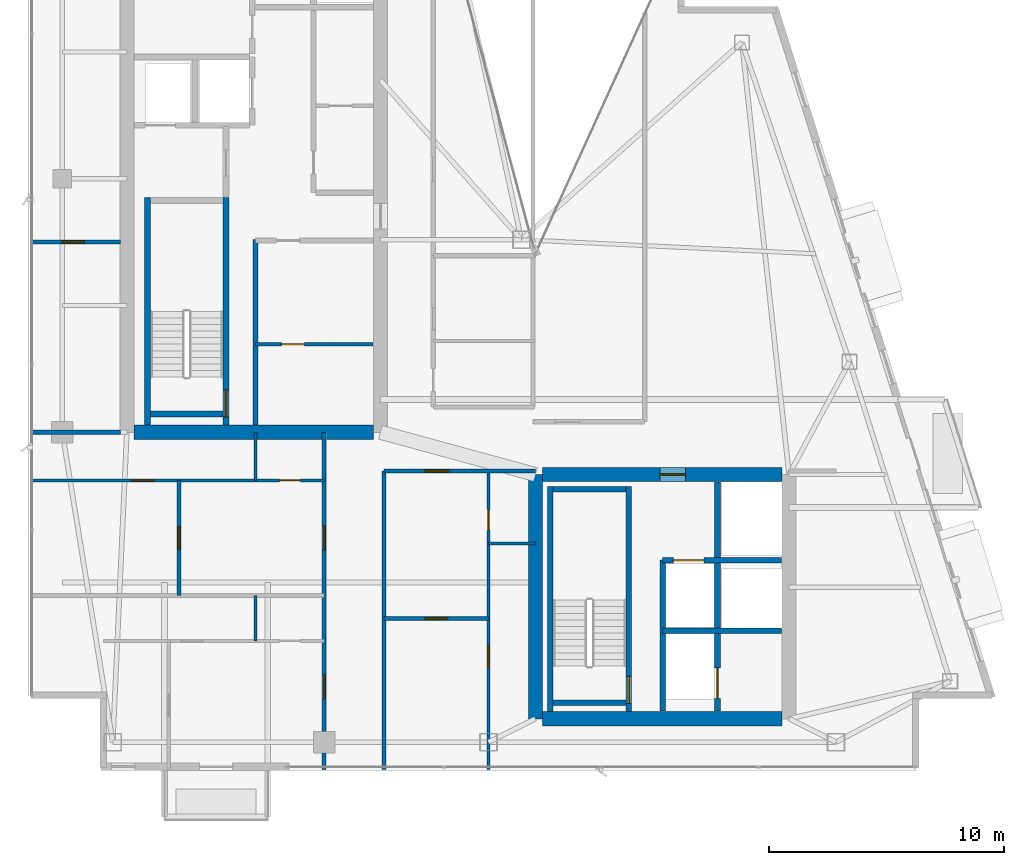
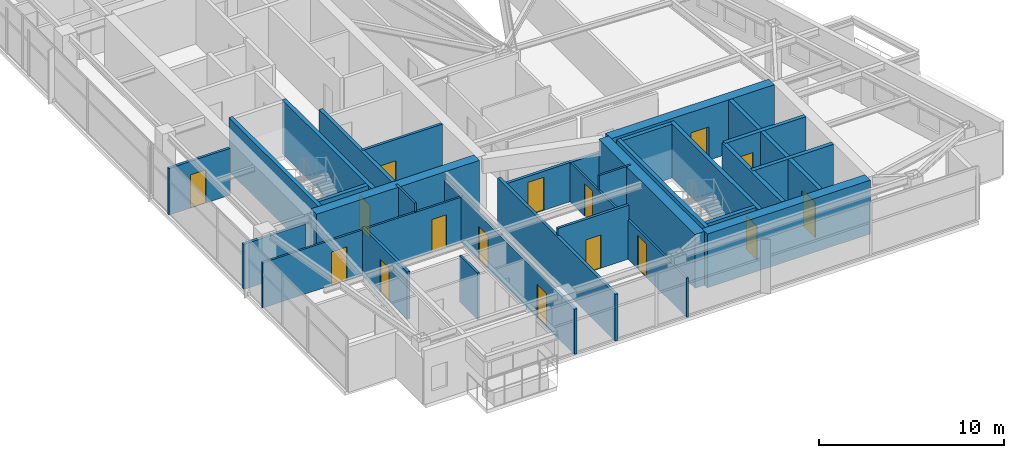
# One storey, part 22 of 27: 29 walls, 16 doors, 16 openings.
"""IFC4 building model written with IfcOpenShell, lengths in metres."""

from ifc_helpers import new_model, si_unit, direction, frame, frame_2d, origin, place, context, subcontext, project, spatial, rectangle, extrude, material, layer, layer_set, type_object, element, fill, save


model = new_model("IFC4")

# Units and contexts
model_context = context("Model", 3, precision=1e-05, world=origin(), true_north=direction((0.0, 1.0)))
body_context = subcontext(model_context, "Body", "Model", "MODEL_VIEW")
ifc_project = project(units=[si_unit("LENGTHUNIT", "METRE"), si_unit("AREAUNIT", "SQUARE_METRE"), si_unit("VOLUMEUNIT", "CUBIC_METRE"), si_unit("PLANEANGLEUNIT", "RADIAN"), si_unit("MASSUNIT", "GRAM", prefix="KILO")], contexts=[model_context])

# Site, building, storey
site_placement = place(None, origin())
site = spatial("IfcSite", under=ifc_project, at=site_placement, CompositionType="ELEMENT")
building_placement = place(site_placement, origin())
building = spatial("IfcBuilding", under=site, at=building_placement, Name="Calvorn Quay Hotel", CompositionType="ELEMENT")
storey_placement = place(building_placement, frame((0.0, 0.0, 294.89990234375)))
storey = spatial("IfcBuildingStorey", under=building, at=storey_placement, Name="L73", CompositionType="ELEMENT", Elevation=294.89990234375)

# Walls
ifc_material_1 = material(Name="Concrete C45", Category="concrete")
ifc_layer_1 = layer(ifc_material_1, 0.60009765625)
ifc_layer_set_1 = layer_set([ifc_layer_1], Name="WL-CORE-600")
wall_type_1 = type_object("IfcWallType", Name="WL-CORE-600", PredefinedType="SHEAR", material=ifc_layer_set_1)
wall_1_placement = place(storey_placement, frame((4.5, 16.800048828125, 0.0), z_axis=(0.0, 0.0, 1.0), x_axis=(1.0, 0.0, 0.0)))
element("IfcWall", 1, at=wall_1_placement, inside=storey, type_object=wall_type_1, Name="West Core Shear Wall S (L73)", PredefinedType="SHEAR", context=body_context, shape_type="SweptSolid", body=[
    extrude(rectangle(XDim=10.199951171875, YDim=0.60009765625, at=frame_2d((5.10009765625, 0.0))), origin(), (0.0, 0.0, 1.0), 3.56005859375),
])
wall_2_placement = place(storey_placement, frame((21.60009765625, 4.60009765625, 0.0), z_axis=(0.0, 0.0, 1.0), x_axis=(0.0, 1.0, 0.0)))
element("IfcWall", 2, at=wall_2_placement, inside=storey, type_object=wall_type_1, Name="East Core Shear Wall W (L73)", PredefinedType="SHEAR", context=body_context, shape_type="SweptSolid", body=[
    extrude(rectangle(XDim=10.39990234375, YDim=0.60009765625, at=frame_2d((5.199951171875, 0.0))), origin(), (0.0, 0.0, 1.0), 3.56005859375),
])

# Wall, opening, door
wall_3_placement = place(storey_placement, frame((21.89990234375, 15.0, 0.0), z_axis=(0.0, 0.0, 1.0), x_axis=(1.0, 0.0, 0.0)))
wall_3 = element("IfcWall", 3, at=wall_3_placement, inside=storey, type_object=wall_type_1, Name="East Core Shear Wall N (L73)", PredefinedType="SHEAR", context=body_context, shape_type="SweptSolid", body=[
    extrude(rectangle(XDim=10.2001953125, YDim=0.60009765625, at=frame_2d((5.10009765625, 0.0))), origin(), (0.0, 0.0, 1.0), 3.56005859375),
])
opening_1_placement = place(wall_3_placement, frame((5.0, 0.0, 0.0)))
opening_1 = element("IfcOpeningElement", 4, at=opening_1_placement, cuts=wall_3, Name="Opening D-L73-FLE", PredefinedType="OPENING", context=body_context, shape_type="SweptSolid", body=[
    extrude(rectangle(XDim=1.10009765625, YDim=2.199951171875, at=frame_2d((0.550048828125, 1.10009765625))), frame((0.0, 0.31005859375, 0.0), z_axis=(0.0, -1.0, 0.0), x_axis=(1.0, 0.0, 0.0)), (0.0, 0.0, 1.0), 0.6201171875),
])
ifc_material_2 = material(Name="Smoke-Sealed Steel Class A Fire Door", Category="steel")
door_type_1 = type_object("IfcDoorType", Name="DR-FFLOBBY-1100", OperationType="NOTDEFINED", PredefinedType="DOOR", material=ifc_material_2)
door_1_placement = place(opening_1_placement, origin())
door_1 = element("IfcDoor", 5, at=door_1_placement, inside=storey, type_object=door_type_1, Name="East Firefighting Lobby Fire Door (L73)", OperationType="SINGLE_SWING_LEFT", OverallHeight=2.199951171875, OverallWidth=1.10009765625, PredefinedType="DOOR", context=body_context, shape_type="SweptSolid", body=[
    extrude(rectangle(XDim=1.10009765625, YDim=2.199951171875, at=frame_2d((0.550048828125, 1.10009765625))), frame((0.0, 0.02490234375, 0.0), z_axis=(0.0, -1.0, 0.0), x_axis=(1.0, 0.0, 0.0)), (0.0, 0.0, 1.0), 0.050048828125),
])
fill(opening_1, door_1)

# Walls
wall_4_placement = place(storey_placement, frame((21.89990234375, 4.60009765625, 0.0), z_axis=(0.0, 0.0, 1.0), x_axis=(1.0, 0.0, 0.0)))
element("IfcWall", 6, at=wall_4_placement, inside=storey, type_object=wall_type_1, Name="East Core Shear Wall S (L73)", PredefinedType="SHEAR", context=body_context, shape_type="SweptSolid", body=[
    extrude(rectangle(XDim=10.2001953125, YDim=0.60009765625, at=frame_2d((5.10009765625, 0.0))), origin(), (0.0, 0.0, 1.0), 3.56005859375),
])
ifc_material_3 = material(Name="Acoustic Fireboard Steel-Stud Partition", Category="steel")
ifc_layer_2 = layer(ifc_material_3, 0.179931640625)
ifc_layer_set_2 = layer_set([ifc_layer_2], Name="WL-CORR-FIRE-180")
wall_type_2 = type_object("IfcWallType", Name="WL-CORR-FIRE-180", PredefinedType="PARTITIONING", material=ifc_layer_set_2)
wall_5_placement = place(storey_placement, frame((0.080078125, 16.800048828125, 0.0), z_axis=(0.0, 0.0, 1.0), x_axis=(1.0, 0.0, 0.0)))
element("IfcWall", 7, at=wall_5_placement, inside=storey, type_object=wall_type_2, Name="Partition Wall L73-WL-WBAY-S-WALL", PredefinedType="PARTITIONING", context=body_context, shape_type="SweptSolid", body=[
    extrude(rectangle(XDim=3.849853515625, YDim=0.179931640625, at=frame_2d((1.9248046875, 0.0))), origin(), (0.0, 0.0, 1.0), 2.989990234375),
])

# Wall, openings, doors
wall_6_placement = place(storey_placement, frame((12.60009765625, 2.43994140625, 0.0), z_axis=(0.0, 0.0, 1.0), x_axis=(0.0, 1.0, 0.0)))
wall_6 = element("IfcWall", 8, at=wall_6_placement, inside=storey, type_object=wall_type_2, Name="Partition Wall L73-WL-CORR-SW-LEG-W", PredefinedType="PARTITIONING", context=body_context, shape_type="SweptSolid", body=[
    extrude(rectangle(XDim=14.360107421875, YDim=0.179931640625, at=frame_2d((7.18017578125, 0.0))), origin(), (0.0, 0.0, 1.0), 2.989990234375),
])
opening_2_placement = place(wall_6_placement, frame((3.010009765625, 0.0, 0.0)))
opening_2 = element("IfcOpeningElement", 9, at=opening_2_placement, cuts=wall_6, Name="Opening D-L73-U01", PredefinedType="OPENING", context=body_context, shape_type="SweptSolid", body=[
    extrude(rectangle(XDim=1.02001953125, YDim=2.199951171875, at=frame_2d((0.510009765625, 1.10009765625))), frame((0.0, 0.099853515625, 0.0), z_axis=(0.0, -1.0, 0.0), x_axis=(1.0, 0.0, 0.0)), (0.0, 0.0, 1.0), 0.199951171875),
])
opening_3_placement = place(wall_6_placement, frame((9.35009765625, 0.0, 0.0)))
opening_3 = element("IfcOpeningElement", 10, at=opening_3_placement, cuts=wall_6, Name="Opening D-L73-U02", PredefinedType="OPENING", context=body_context, shape_type="SweptSolid", body=[
    extrude(rectangle(XDim=1.02001953125, YDim=2.199951171875, at=frame_2d((0.510009765625, 1.10009765625))), frame((0.0, 0.099853515625, 0.0), z_axis=(0.0, -1.0, 0.0), x_axis=(1.0, 0.0, 0.0)), (0.0, 0.0, 1.0), 0.199951171875),
])
ifc_material_4 = material(Name="Solid-Core Walnut Veneer Hotel Fire Door")
door_type_2 = type_object("IfcDoorType", Name="DR-GUEST-ENTRY-1020", OperationType="NOTDEFINED", PredefinedType="DOOR", material=ifc_material_4)
door_2_placement = place(opening_2_placement, origin())
door_2 = element("IfcDoor", 11, at=door_2_placement, inside=storey, type_object=door_type_2, Name="South-West Unit Door U01 (L73)", OperationType="SINGLE_SWING_LEFT", OverallHeight=2.199951171875, OverallWidth=1.02001953125, PredefinedType="DOOR", context=body_context, shape_type="SweptSolid", body=[
    extrude(rectangle(XDim=1.02001953125, YDim=2.199951171875, at=frame_2d((0.510009765625, 1.10009765625))), frame((0.0, 0.02490234375, 0.0), z_axis=(0.0, -1.0, 0.0), x_axis=(1.0, 0.0, 0.0)), (0.0, 0.0, 1.0), 0.050048828125),
])
fill(opening_2, door_2)
door_3_placement = place(opening_3_placement, origin())
door_3 = element("IfcDoor", 12, at=door_3_placement, inside=storey, type_object=door_type_2, Name="South-West Unit Door U02 (L73)", OperationType="SINGLE_SWING_RIGHT", OverallHeight=2.199951171875, OverallWidth=1.02001953125, PredefinedType="DOOR", context=body_context, shape_type="SweptSolid", body=[
    extrude(rectangle(XDim=1.02001953125, YDim=2.199951171875, at=frame_2d((0.510009765625, 1.10009765625))), frame((0.0, 0.02490234375, 0.0), z_axis=(0.0, -1.0, 0.0), x_axis=(1.0, 0.0, 0.0)), (0.0, 0.0, 1.0), 0.050048828125),
])
fill(opening_3, door_3)

# Wall
wall_7_placement = place(storey_placement, frame((15.14990234375, 2.43994140625, 0.0), z_axis=(0.0, 0.0, 1.0), x_axis=(0.0, 1.0, 0.0)))
element("IfcWall", 13, at=wall_7_placement, inside=storey, type_object=wall_type_2, Name="Partition Wall L73-WL-CORR-SW-W", PredefinedType="PARTITIONING", context=body_context, shape_type="SweptSolid", body=[
    extrude(rectangle(XDim=12.7099609375, YDim=0.179931640625, at=frame_2d((6.35498046875, 0.0))), origin(), (0.0, 0.0, 1.0), 3.090087890625),
])

# Wall, opening, door
wall_8_placement = place(storey_placement, frame((15.14990234375, 15.14990234375, 0.0), z_axis=(0.0, 0.0, 1.0), x_axis=(1.0, 0.0, 0.0)))
wall_8 = element("IfcWall", 14, at=wall_8_placement, inside=storey, type_object=wall_type_2, Name="Partition Wall L73-WL-SC-CORR-S", PredefinedType="PARTITIONING", context=body_context, shape_type="SweptSolid", body=[
    extrude(rectangle(XDim=6.4501953125, YDim=0.179931640625, at=frame_2d((3.22509765625, 0.0))), origin(), (0.0, 0.0, 1.0), 2.590087890625),
])
opening_4_placement = place(wall_8_placement, frame((1.739990234375, 0.0, 0.0)))
opening_4 = element("IfcOpeningElement", 15, at=opening_4_placement, cuts=wall_8, Name="Opening D-L73-U03", PredefinedType="OPENING", context=body_context, shape_type="SweptSolid", body=[
    extrude(rectangle(XDim=1.02001953125, YDim=2.199951171875, at=frame_2d((0.510009765625, 1.10009765625))), frame((0.0, 0.099853515625, 0.0), z_axis=(0.0, -1.0, 0.0), x_axis=(1.0, 0.0, 0.0)), (0.0, 0.0, 1.0), 0.199951171875),
])
door_4_placement = place(opening_4_placement, origin())
door_4 = element("IfcDoor", 16, at=door_4_placement, inside=storey, type_object=door_type_2, Name="Harbour Central Unit Door (L73)", OperationType="SINGLE_SWING_LEFT", OverallHeight=2.199951171875, OverallWidth=1.02001953125, PredefinedType="DOOR", context=body_context, shape_type="SweptSolid", body=[
    extrude(rectangle(XDim=1.02001953125, YDim=2.199951171875, at=frame_2d((0.510009765625, 1.10009765625))), frame((0.0, 0.02490234375, 0.0), z_axis=(0.0, -1.0, 0.0), x_axis=(1.0, 0.0, 0.0)), (0.0, 0.0, 1.0), 0.050048828125),
])
fill(opening_4, door_4)

# Walls
ifc_material_5 = material(Name="Moisture-Resistant Tile-Backed Partition")
ifc_layer_3 = layer(ifc_material_5, 0.125)
ifc_layer_set_3 = layer_set([ifc_layer_3], Name="WL-ENSUITE-125")
wall_type_3 = type_object("IfcWallType", Name="WL-ENSUITE-125", PredefinedType="PARTITIONING", material=ifc_layer_set_3)
wall_9_placement = place(storey_placement, frame((9.679931640625, 7.919921875, 0.0), z_axis=(0.0, 0.0, 1.0), x_axis=(0.0, 1.0, 0.0)))
element("IfcWall", 17, at=wall_9_placement, inside=storey, type_object=wall_type_3, Name="Partition Wall L73-WL-U01-BDV", PredefinedType="PARTITIONING", context=body_context, shape_type="SweptSolid", body=[
    extrude(rectangle(XDim=1.93017578125, YDim=0.125, at=frame_2d((0.965087890625, 0.0))), origin(), (0.0, 0.0, 1.0), 3.090087890625),
])
wall_10_placement = place(storey_placement, frame((9.679931640625, 14.75, 0.0), z_axis=(0.0, 0.0, 1.0), x_axis=(0.0, 1.0, 0.0)))
element("IfcWall", 18, at=wall_10_placement, inside=storey, type_object=wall_type_3, Name="Partition Wall L73-WL-U02-BDV", PredefinedType="PARTITIONING", context=body_context, shape_type="SweptSolid", body=[
    extrude(rectangle(XDim=2.050048828125, YDim=0.125, at=frame_2d((1.02490234375, 0.0))), origin(), (0.0, 0.0, 1.0), 3.56005859375),
])

# Wall, openings, doors
wall_11_placement = place(storey_placement, frame((0.080078125, 14.75, 0.0), z_axis=(0.0, 0.0, 1.0), x_axis=(1.0, 0.0, 0.0)))
wall_11 = element("IfcWall", 19, at=wall_11_placement, inside=storey, type_object=wall_type_3, Name="Partition Wall L73-WL-U02-BH", PredefinedType="PARTITIONING", context=body_context, shape_type="SweptSolid", body=[
    extrude(rectangle(XDim=12.52001953125, YDim=0.125, at=frame_2d((6.260009765625, 0.0))), origin(), (0.0, 0.0, 1.0), 2.989990234375),
])
opening_5_placement = place(wall_11_placement, frame((4.320068359375, 0.0, 0.0)))
opening_5 = element("IfcOpeningElement", 20, at=opening_5_placement, cuts=wall_11, Name="Opening D-L73-S02", PredefinedType="OPENING", context=body_context, shape_type="SweptSolid", body=[
    extrude(rectangle(XDim=0.9599609375, YDim=2.199951171875, at=frame_2d((0.47998046875, 1.10009765625))), frame((0.0, 0.072509765625, 0.0), z_axis=(0.0, -1.0, 0.0), x_axis=(1.0, 0.0, 0.0)), (0.0, 0.0, 1.0), 0.14501953125),
])
opening_6_placement = place(wall_11_placement, frame((10.610107421875, 0.0, 0.0)))
opening_6 = element("IfcOpeningElement", 21, at=opening_6_placement, cuts=wall_11, Name="Opening D-L73-E02", PredefinedType="OPENING", context=body_context, shape_type="SweptSolid", body=[
    extrude(rectangle(XDim=0.89990234375, YDim=2.14990234375, at=frame_2d((0.449951171875, 1.074951171875))), frame((0.0, 0.072509765625, 0.0), z_axis=(0.0, -1.0, 0.0), x_axis=(1.0, 0.0, 0.0)), (0.0, 0.0, 1.0), 0.14501953125),
])
ifc_material_6 = material(Name="Moisture-Sealed Timber En-Suite Door", Category="wood")
door_type_3 = type_object("IfcDoorType", Name="DR-ENSUITE-900", OperationType="NOTDEFINED", PredefinedType="DOOR", material=ifc_material_6)
door_5_placement = place(opening_6_placement, origin())
door_5 = element("IfcDoor", 22, at=door_5_placement, inside=storey, type_object=door_type_3, Name="En-Suite Door 02", OperationType="SINGLE_SWING_RIGHT", OverallHeight=2.14990234375, OverallWidth=0.89990234375, PredefinedType="DOOR", context=body_context, shape_type="SweptSolid", body=[
    extrude(rectangle(XDim=0.89990234375, YDim=2.14990234375, at=frame_2d((0.449951171875, 1.074951171875))), frame((0.0, 0.02490234375, 0.0), z_axis=(0.0, -1.0, 0.0), x_axis=(1.0, 0.0, 0.0)), (0.0, 0.0, 1.0), 0.050048828125),
])
fill(opening_6, door_5)
ifc_material_7 = material(Name="Solid Timber Internal Suite Door", Category="wood")
door_type_4 = type_object("IfcDoorType", Name="DR-SUITE-INT-960", OperationType="NOTDEFINED", PredefinedType="DOOR", material=ifc_material_7)
door_6_placement = place(opening_5_placement, origin())
door_6 = element("IfcDoor", 23, at=door_6_placement, inside=storey, type_object=door_type_4, Name="Executive Work Office Door 02", OperationType="SINGLE_SWING_LEFT", OverallHeight=2.199951171875, OverallWidth=0.9599609375, PredefinedType="DOOR", context=body_context, shape_type="SweptSolid", body=[
    extrude(rectangle(XDim=0.9599609375, YDim=2.199951171875, at=frame_2d((0.47998046875, 1.10009765625))), frame((0.0, 0.02490234375, 0.0), z_axis=(0.0, -1.0, 0.0), x_axis=(1.0, 0.0, 0.0)), (0.0, 0.0, 1.0), 0.050048828125),
])
fill(opening_5, door_6)

# Wall
wall_12_placement = place(storey_placement, frame((19.60009765625, 12.070068359375, 0.0), z_axis=(0.0, 0.0, 1.0), x_axis=(1.0, 0.0, 0.0)))
element("IfcWall", 24, at=wall_12_placement, inside=storey, type_object=wall_type_3, Name="Partition Wall L73-WL-U03-BDV", PredefinedType="PARTITIONING", context=body_context, shape_type="SweptSolid", body=[
    extrude(rectangle(XDim=2.0, YDim=0.125, at=frame_2d((1.0, 0.0))), origin(), (0.0, 0.0, 1.0), 3.56005859375),
])

# Wall, openings, doors
wall_13_placement = place(storey_placement, frame((19.60009765625, 2.43994140625, 0.0), z_axis=(0.0, 0.0, 1.0), x_axis=(0.0, 1.0, 0.0)))
wall_13 = element("IfcWall", 25, at=wall_13_placement, inside=storey, type_object=wall_type_3, Name="Partition Wall L73-WL-U03-BV", PredefinedType="PARTITIONING", context=body_context, shape_type="SweptSolid", body=[
    extrude(rectangle(XDim=12.7099609375, YDim=0.125, at=frame_2d((6.35498046875, 0.0))), origin(), (0.0, 0.0, 1.0), 2.590087890625),
])
opening_7_placement = place(wall_13_placement, frame((4.340087890625, 0.0, 0.0)))
opening_7 = element("IfcOpeningElement", 26, at=opening_7_placement, cuts=wall_13, Name="Opening D-L73-S03", PredefinedType="OPENING", context=body_context, shape_type="SweptSolid", body=[
    extrude(rectangle(XDim=0.9599609375, YDim=2.199951171875, at=frame_2d((0.47998046875, 1.10009765625))), frame((0.0, 0.072509765625, 0.0), z_axis=(0.0, -1.0, 0.0), x_axis=(1.0, 0.0, 0.0)), (0.0, 0.0, 1.0), 0.14501953125),
])
opening_8_placement = place(wall_13_placement, frame((10.179931640625, 0.0, 0.0)))
opening_8 = element("IfcOpeningElement", 27, at=opening_8_placement, cuts=wall_13, Name="Opening D-L73-E03", PredefinedType="OPENING", context=body_context, shape_type="SweptSolid", body=[
    extrude(rectangle(XDim=0.89990234375, YDim=2.14990234375, at=frame_2d((0.449951171875, 1.074951171875))), frame((0.0, 0.072509765625, 0.0), z_axis=(0.0, -1.0, 0.0), x_axis=(1.0, 0.0, 0.0)), (0.0, 0.0, 1.0), 0.14501953125),
])
door_7_placement = place(opening_8_placement, origin())
door_7 = element("IfcDoor", 28, at=door_7_placement, inside=storey, type_object=door_type_3, Name="En-Suite Door 03", OperationType="SINGLE_SWING_RIGHT", OverallHeight=2.14990234375, OverallWidth=0.89990234375, PredefinedType="DOOR", context=body_context, shape_type="SweptSolid", body=[
    extrude(rectangle(XDim=0.89990234375, YDim=2.14990234375, at=frame_2d((0.449951171875, 1.074951171875))), frame((0.0, 0.02490234375, 0.0), z_axis=(0.0, -1.0, 0.0), x_axis=(1.0, 0.0, 0.0)), (0.0, 0.0, 1.0), 0.050048828125),
])
fill(opening_8, door_7)
door_8_placement = place(opening_7_placement, origin())
door_8 = element("IfcDoor", 29, at=door_8_placement, inside=storey, type_object=door_type_4, Name="Executive Work Office Door 03", OperationType="SINGLE_SWING_LEFT", OverallHeight=2.199951171875, OverallWidth=0.9599609375, PredefinedType="DOOR", context=body_context, shape_type="SweptSolid", body=[
    extrude(rectangle(XDim=0.9599609375, YDim=2.199951171875, at=frame_2d((0.47998046875, 1.10009765625))), frame((0.0, 0.02490234375, 0.0), z_axis=(0.0, -1.0, 0.0), x_axis=(1.0, 0.0, 0.0)), (0.0, 0.0, 1.0), 0.050048828125),
])
fill(opening_7, door_8)

# Wall, opening, door
ifc_material_8 = material(Name="Double-Stud Acoustic Gypsum Partition")
ifc_layer_4 = layer(ifc_material_8, 0.159912109375)
ifc_layer_set_4 = layer_set([ifc_layer_4], Name="WL-INTERSUITE-160")
wall_type_4 = type_object("IfcWallType", Name="WL-INTERSUITE-160", PredefinedType="PARTITIONING", material=ifc_layer_set_4)
wall_14_placement = place(storey_placement, frame((9.679931640625, 20.550048828125, 0.0), z_axis=(0.0, 0.0, 1.0), x_axis=(1.0, 0.0, 0.0)))
wall_14 = element("IfcWall", 30, at=wall_14_placement, inside=storey, type_object=wall_type_4, Name="Partition Wall L73-WL-CWW-FR-SPLIT", PredefinedType="PARTITIONING", context=body_context, shape_type="SweptSolid", body=[
    extrude(rectangle(XDim=5.0, YDim=0.159912109375, at=frame_2d((2.5, 0.0))), origin(), (0.0, 0.0, 1.0), 3.56005859375),
])
opening_9_placement = place(wall_14_placement, frame((1.10009765625, 0.0, 0.0)))
opening_9 = element("IfcOpeningElement", 31, at=opening_9_placement, cuts=wall_14, Name="Opening D-L73-FRL1", PredefinedType="OPENING", context=body_context, shape_type="SweptSolid", body=[
    extrude(rectangle(XDim=0.97998046875, YDim=2.14990234375, at=frame_2d((0.489990234375, 1.074951171875))), frame((0.0, 0.08984375, 0.0), z_axis=(0.0, -1.0, 0.0), x_axis=(1.0, 0.0, 0.0)), (0.0, 0.0, 1.0), 0.179931640625),
])
ifc_material_9 = material(Name="Painted Steel Housekeeping/Riser Fire Door", Category="steel")
door_type_5 = type_object("IfcDoorType", Name="DR-SERVICE-980", OperationType="NOTDEFINED", PredefinedType="DOOR", material=ifc_material_9)
door_9_placement = place(opening_9_placement, origin())
door_9 = element("IfcDoor", 32, at=door_9_placement, inside=storey, type_object=door_type_5, Name="Linen Store Room Door (L73)", OperationType="SINGLE_SWING_LEFT", OverallHeight=2.14990234375, OverallWidth=0.97998046875, PredefinedType="DOOR", context=body_context, shape_type="SweptSolid", body=[
    extrude(rectangle(XDim=0.97998046875, YDim=2.14990234375, at=frame_2d((0.489990234375, 1.074951171875))), frame((0.0, 0.02490234375, 0.0), z_axis=(0.0, -1.0, 0.0), x_axis=(1.0, 0.0, 0.0)), (0.0, 0.0, 1.0), 0.050048828125),
])
fill(opening_9, door_9)

wall_15_placement = place(storey_placement, frame((0.080078125, 24.89990234375, 0.0), z_axis=(0.0, 0.0, 1.0), x_axis=(1.0, 0.0, 0.0)))
wall_15 = element("IfcWall", 33, at=wall_15_placement, inside=storey, type_object=wall_type_4, Name="Partition Wall L73-WL-WBAY-DIV", PredefinedType="PARTITIONING", context=body_context, shape_type="SweptSolid", body=[
    extrude(rectangle(XDim=3.849853515625, YDim=0.159912109375, at=frame_2d((1.9248046875, 0.0))), origin(), (0.0, 0.0, 1.0), 3.090087890625),
])
opening_10_placement = place(wall_15_placement, frame((1.35009765625, 0.0, 0.0)))
opening_10 = element("IfcOpeningElement", 34, at=opening_10_placement, cuts=wall_15, Name="Opening D-L73-WBD", PredefinedType="OPENING", context=body_context, shape_type="SweptSolid", body=[
    extrude(rectangle(XDim=0.9599609375, YDim=2.199951171875, at=frame_2d((0.47998046875, 1.10009765625))), frame((0.0, 0.08984375, 0.0), z_axis=(0.0, -1.0, 0.0), x_axis=(1.0, 0.0, 0.0)), (0.0, 0.0, 1.0), 0.179931640625),
])
door_10_placement = place(opening_10_placement, origin())
door_10 = element("IfcDoor", 35, at=door_10_placement, inside=storey, type_object=door_type_4, Name="West Bay Connecting Door (L73)", OperationType="SINGLE_SWING_LEFT", OverallHeight=2.199951171875, OverallWidth=0.9599609375, PredefinedType="DOOR", context=body_context, shape_type="SweptSolid", body=[
    extrude(rectangle(XDim=0.9599609375, YDim=2.199951171875, at=frame_2d((0.47998046875, 1.10009765625))), frame((0.0, 0.02490234375, 0.0), z_axis=(0.0, -1.0, 0.0), x_axis=(1.0, 0.0, 0.0)), (0.0, 0.0, 1.0), 0.050048828125),
])
fill(opening_10, door_10)

wall_16_placement = place(storey_placement, frame((6.419921875, 9.85009765625, 0.0), z_axis=(0.0, 0.0, 1.0), x_axis=(0.0, 1.0, 0.0)))
wall_16 = element("IfcWall", 36, at=wall_16_placement, inside=storey, type_object=wall_type_4, Name="Partition Wall L73-WL-U02-MSP", PredefinedType="PARTITIONING", context=body_context, shape_type="SweptSolid", body=[
    extrude(rectangle(XDim=4.89990234375, YDim=0.159912109375, at=frame_2d((2.449951171875, 0.0))), origin(), (0.0, 0.0, 1.0), 3.14013671875),
])
opening_11_placement = place(wall_16_placement, frame((1.969970703125, 0.0, 0.0)))
opening_11 = element("IfcOpeningElement", 37, at=opening_11_placement, cuts=wall_16, Name="Opening D-L73-M02", PredefinedType="OPENING", context=body_context, shape_type="SweptSolid", body=[
    extrude(rectangle(XDim=0.9599609375, YDim=2.199951171875, at=frame_2d((0.47998046875, 1.10009765625))), frame((0.0, 0.08984375, 0.0), z_axis=(0.0, -1.0, 0.0), x_axis=(1.0, 0.0, 0.0)), (0.0, 0.0, 1.0), 0.179931640625),
])
door_11_placement = place(opening_11_placement, origin())
door_11 = element("IfcDoor", 38, at=door_11_placement, inside=storey, type_object=door_type_4, Name="Suite Bedroom Door 02", OperationType="SINGLE_SWING_LEFT", OverallHeight=2.199951171875, OverallWidth=0.9599609375, PredefinedType="DOOR", context=body_context, shape_type="SweptSolid", body=[
    extrude(rectangle(XDim=0.9599609375, YDim=2.199951171875, at=frame_2d((0.47998046875, 1.10009765625))), frame((0.0, 0.02490234375, 0.0), z_axis=(0.0, -1.0, 0.0), x_axis=(1.0, 0.0, 0.0)), (0.0, 0.0, 1.0), 0.050048828125),
])
fill(opening_11, door_11)

wall_17_placement = place(storey_placement, frame((15.14990234375, 8.8701171875, 0.0), z_axis=(0.0, 0.0, 1.0), x_axis=(1.0, 0.0, 0.0)))
wall_17 = element("IfcWall", 39, at=wall_17_placement, inside=storey, type_object=wall_type_4, Name="Partition Wall L73-WL-U03-MSP", PredefinedType="PARTITIONING", context=body_context, shape_type="SweptSolid", body=[
    extrude(rectangle(XDim=4.4501953125, YDim=0.159912109375, at=frame_2d((2.22509765625, 0.0))), origin(), (0.0, 0.0, 1.0), 3.56005859375),
])
opening_12_placement = place(wall_17_placement, frame((1.75, 0.0, 0.0)))
opening_12 = element("IfcOpeningElement", 40, at=opening_12_placement, cuts=wall_17, Name="Opening D-L73-M03", PredefinedType="OPENING", context=body_context, shape_type="SweptSolid", body=[
    extrude(rectangle(XDim=0.9599609375, YDim=2.199951171875, at=frame_2d((0.47998046875, 1.10009765625))), frame((0.0, 0.08984375, 0.0), z_axis=(0.0, -1.0, 0.0), x_axis=(1.0, 0.0, 0.0)), (0.0, 0.0, 1.0), 0.179931640625),
])
door_12_placement = place(opening_12_placement, origin())
door_12 = element("IfcDoor", 41, at=door_12_placement, inside=storey, type_object=door_type_4, Name="Suite Bedroom Door 03", OperationType="SINGLE_SWING_LEFT", OverallHeight=2.199951171875, OverallWidth=0.9599609375, PredefinedType="DOOR", context=body_context, shape_type="SweptSolid", body=[
    extrude(rectangle(XDim=0.9599609375, YDim=2.199951171875, at=frame_2d((0.47998046875, 1.10009765625))), frame((0.0, 0.02490234375, 0.0), z_axis=(0.0, -1.0, 0.0), x_axis=(1.0, 0.0, 0.0)), (0.0, 0.0, 1.0), 0.050048828125),
])
fill(opening_12, door_12)

# Walls
ifc_material_10 = material(Name="Autoclaved Aerated Masonry Block", Category="masonry")
ifc_layer_5 = layer(ifc_material_10, 0.219970703125)
ifc_layer_set_5 = layer_set([ifc_layer_5], Name="WL-LOBBY-FIRE-220")
wall_type_5 = type_object("IfcWallType", Name="WL-LOBBY-FIRE-220", PredefinedType="SOLIDWALL", material=ifc_layer_set_5)
wall_18_placement = place(storey_placement, frame((9.679931640625, 17.1201171875, 0.0), z_axis=(0.0, 0.0, 1.0), x_axis=(0.0, 1.0, 0.0)))
element("IfcWall", 42, at=wall_18_placement, inside=storey, type_object=wall_type_5, Name="Partition Wall L73-WL-CWW-STW-HALL-E", PredefinedType="SOLIDWALL", context=body_context, shape_type="SweptSolid", body=[
    extrude(rectangle(XDim=7.8798828125, YDim=0.219970703125, at=frame_2d((3.93994140625, 0.0))), origin(), (0.0, 0.0, 1.0), 3.56005859375),
])
ifc_material_11 = material(Name="Concrete C40", Category="concrete")
ifc_layer_6 = layer(ifc_material_11, 0.239990234375)
ifc_layer_set_6 = layer_set([ifc_layer_6], Name="WL-SHAFT-240")
wall_type_6 = type_object("IfcWallType", Name="WL-SHAFT-240", PredefinedType="SOLIDWALL", material=ifc_layer_set_6)
wall_19_placement = place(storey_placement, frame((5.080078125, 17.10009765625, 0.0), z_axis=(0.0, 0.0, 1.0), x_axis=(0.0, 1.0, 0.0)))
element("IfcWall", 43, at=wall_19_placement, inside=storey, type_object=wall_type_6, Name="Stair STW Shaft Wall W (L73)", PredefinedType="SOLIDWALL", context=body_context, shape_type="SweptSolid", body=[
    extrude(rectangle(XDim=9.68994140625, YDim=0.239990234375, at=frame_2d((4.844970703125, 0.0))), origin(), (0.0, 0.0, 1.0), 3.56005859375),
])

# Wall, opening, door
wall_20_placement = place(storey_placement, frame((8.419921875, 17.10009765625, 0.0), z_axis=(0.0, 0.0, 1.0), x_axis=(0.0, 1.0, 0.0)))
wall_20 = element("IfcWall", 44, at=wall_20_placement, inside=storey, type_object=wall_type_6, Name="Stair STW Shaft Wall E (L73)", PredefinedType="SOLIDWALL", context=body_context, shape_type="SweptSolid", body=[
    extrude(rectangle(XDim=9.68994140625, YDim=0.239990234375, at=frame_2d((4.844970703125, 0.0))), origin(), (0.0, 0.0, 1.0), 3.56005859375),
])
opening_13_placement = place(wall_20_placement, frame((0.35009765625, 0.0, 0.0)))
opening_13 = element("IfcOpeningElement", 45, at=opening_13_placement, cuts=wall_20, Name="Opening D-L73-STW", PredefinedType="OPENING", context=body_context, shape_type="SweptSolid", body=[
    extrude(rectangle(XDim=1.14990234375, YDim=2.199951171875, at=frame_2d((0.574951171875, 1.10009765625))), frame((0.0, 0.1298828125, 0.0), z_axis=(0.0, -1.0, 0.0), x_axis=(1.0, 0.0, 0.0)), (0.0, 0.0, 1.0), 0.260009765625),
])
ifc_material_12 = material(Name="Galvanised Steel Class A Fire Door", Category="steel")
door_type_6 = type_object("IfcDoorType", Name="DR-STAIR-SMOKE-1150", OperationType="NOTDEFINED", PredefinedType="DOOR", material=ifc_material_12)
door_13_placement = place(opening_13_placement, origin())
door_13 = element("IfcDoor", 46, at=door_13_placement, inside=storey, type_object=door_type_6, Name="Stair ST-W Fire Door (L73)", OperationType="SINGLE_SWING_LEFT", OverallHeight=2.199951171875, OverallWidth=1.14990234375, PredefinedType="DOOR", context=body_context, shape_type="SweptSolid", body=[
    extrude(rectangle(XDim=1.14990234375, YDim=2.199951171875, at=frame_2d((0.574951171875, 1.10009765625))), frame((0.0, 0.02490234375, 0.0), z_axis=(0.0, -1.0, 0.0), x_axis=(1.0, 0.0, 0.0)), (0.0, 0.0, 1.0), 0.050048828125),
])
fill(opening_13, door_13)

# Walls
wall_21_placement = place(storey_placement, frame((5.199951171875, 17.580078125, 0.0), z_axis=(0.0, 0.0, 1.0), x_axis=(1.0, 0.0, 0.0)))
element("IfcWall", 47, at=wall_21_placement, inside=storey, type_object=wall_type_6, Name="Stair STW Shaft Wall S (L73)", PredefinedType="SOLIDWALL", context=body_context, shape_type="SweptSolid", body=[
    extrude(rectangle(XDim=3.10009765625, YDim=0.239990234375, at=frame_2d((1.550048828125, 0.0))), origin(), (0.0, 0.0, 1.0), 3.56005859375),
])
wall_22_placement = place(storey_placement, frame((22.22998046875, 4.89990234375, 0.0), z_axis=(0.0, 0.0, 1.0), x_axis=(0.0, 1.0, 0.0)))
element("IfcWall", 48, at=wall_22_placement, inside=storey, type_object=wall_type_6, Name="Stair STE Shaft Wall W (L73)", PredefinedType="SOLIDWALL", context=body_context, shape_type="SweptSolid", body=[
    extrude(rectangle(XDim=9.590087890625, YDim=0.239990234375, at=frame_2d((4.794921875, 0.0))), origin(), (0.0, 0.0, 1.0), 3.56005859375),
])

# Wall, opening, door
wall_23_placement = place(storey_placement, frame((25.570068359375, 4.89990234375, 0.0), z_axis=(0.0, 0.0, 1.0), x_axis=(0.0, 1.0, 0.0)))
wall_23 = element("IfcWall", 49, at=wall_23_placement, inside=storey, type_object=wall_type_6, Name="Stair STE Shaft Wall E (L73)", PredefinedType="SOLIDWALL", context=body_context, shape_type="SweptSolid", body=[
    extrude(rectangle(XDim=9.590087890625, YDim=0.239990234375, at=frame_2d((4.794921875, 0.0))), origin(), (0.0, 0.0, 1.0), 3.56005859375),
])
opening_14_placement = place(wall_23_placement, frame((0.35009765625, 0.0, 0.0)))
opening_14 = element("IfcOpeningElement", 50, at=opening_14_placement, cuts=wall_23, Name="Opening D-L73-STE", PredefinedType="OPENING", context=body_context, shape_type="SweptSolid", body=[
    extrude(rectangle(XDim=1.14990234375, YDim=2.199951171875, at=frame_2d((0.574951171875, 1.10009765625))), frame((0.0, 0.1298828125, 0.0), z_axis=(0.0, -1.0, 0.0), x_axis=(1.0, 0.0, 0.0)), (0.0, 0.0, 1.0), 0.260009765625),
])
door_14_placement = place(opening_14_placement, origin())
door_14 = element("IfcDoor", 51, at=door_14_placement, inside=storey, type_object=door_type_6, Name="Stair ST-E Fire Door (L73)", OperationType="SINGLE_SWING_RIGHT", OverallHeight=2.199951171875, OverallWidth=1.14990234375, PredefinedType="DOOR", context=body_context, shape_type="SweptSolid", body=[
    extrude(rectangle(XDim=1.14990234375, YDim=2.199951171875, at=frame_2d((0.574951171875, 1.10009765625))), frame((0.0, 0.02490234375, 0.0), z_axis=(0.0, -1.0, 0.0), x_axis=(1.0, 0.0, 0.0)), (0.0, 0.0, 1.0), 0.050048828125),
])
fill(opening_14, door_14)

# Walls
for number, where, z_axis, x_axis, name in (
    (52, (22.35009765625, 5.280029296875, 0.0), (0.0, 0.0, 1.0), (1.0, 0.0, 0.0), "Stair STE Shaft Wall S (L73)"),
    (53, (22.35009765625, 14.3701171875, 0.0), (0.0, 0.0, 1.0), (1.0, 0.0, 0.0), "Stair STE Shaft Wall N (L73)"),
):
    element("IfcWall", number, at=place(storey_placement, frame(where, z_axis=z_axis, x_axis=x_axis)), inside=storey, type_object=wall_type_6, Name=name, PredefinedType="SOLIDWALL", context=body_context, shape_type="SweptSolid", body=[
        extrude(rectangle(XDim=3.099853515625, YDim=0.239990234375, at=frame_2d((1.5498046875, 0.0))), origin(), (0.0, 0.0, 1.0), 3.56005859375),
    ])
wall_24_placement = place(storey_placement, frame((27.02001953125, 4.919921875, 0.0), z_axis=(0.0, 0.0, 1.0), x_axis=(0.0, 1.0, 0.0)))
element("IfcWall", 54, at=wall_24_placement, inside=storey, type_object=wall_type_6, Name="Partition Wall L73-WL-CWE-SH-W", PredefinedType="SOLIDWALL", context=body_context, shape_type="SweptSolid", body=[
    extrude(rectangle(XDim=6.43017578125, YDim=0.239990234375, at=frame_2d((3.215087890625, 0.0))), origin(), (0.0, 0.0, 1.0), 3.56005859375),
])

# Wall, opening, door
wall_25_placement = place(storey_placement, frame((27.02001953125, 11.35009765625, 0.0), z_axis=(0.0, 0.0, 1.0), x_axis=(1.0, 0.0, 0.0)))
wall_25 = element("IfcWall", 55, at=wall_25_placement, inside=storey, type_object=wall_type_6, Name="Partition Wall L73-WL-CWE-FFL-S", PredefinedType="SOLIDWALL", context=body_context, shape_type="SweptSolid", body=[
    extrude(rectangle(XDim=5.06005859375, YDim=0.239990234375, at=frame_2d((2.530029296875, 0.0))), origin(), (0.0, 0.0, 1.0), 3.56005859375),
])
opening_15_placement = place(wall_25_placement, frame((0.449951171875, 0.0, 0.0)))
opening_15 = element("IfcOpeningElement", 56, at=opening_15_placement, cuts=wall_25, Name="Opening LD-L73-FLE1", PredefinedType="OPENING", context=body_context, shape_type="SweptSolid", body=[
    extrude(rectangle(XDim=1.300048828125, YDim=2.35009765625, at=frame_2d((0.64990234375, 1.175048828125))), frame((0.0, 0.1298828125, 0.0), z_axis=(0.0, -1.0, 0.0), x_axis=(1.0, 0.0, 0.0)), (0.0, 0.0, 1.0), 0.260009765625),
])
ifc_material_13 = material(Name="Champagne-Bronze Sliding Express Lift Landing Door")
door_type_7 = type_object("IfcDoorType", Name="DR-LIFT-SHUTTLE-1300", OperationType="NOTDEFINED", PredefinedType="DOOR", material=ifc_material_13)
door_15_placement = place(opening_15_placement, origin())
door_15 = element("IfcDoor", 57, at=door_15_placement, inside=storey, type_object=door_type_7, Name="Firefighting Lift FL-E1 Landing Door (L73)", OperationType="DOUBLE_DOOR_SLIDING", OverallHeight=2.35009765625, OverallWidth=1.300048828125, PredefinedType="DOOR", context=body_context, shape_type="SweptSolid", body=[
    extrude(rectangle(XDim=1.300048828125, YDim=2.35009765625, at=frame_2d((0.64990234375, 1.175048828125))), frame((0.0, 0.02490234375, 0.0), z_axis=(0.0, -1.0, 0.0), x_axis=(1.0, 0.0, 0.0)), (0.0, 0.0, 1.0), 0.050048828125),
])
fill(opening_15, door_15)

# Wall
wall_26_placement = place(storey_placement, frame((27.02001953125, 8.35009765625, 0.0), z_axis=(0.0, 0.0, 1.0), x_axis=(1.0, 0.0, 0.0)))
element("IfcWall", 58, at=wall_26_placement, inside=storey, type_object=wall_type_6, Name="Partition Wall L73-WL-CWE-SL-N", PredefinedType="SOLIDWALL", context=body_context, shape_type="SweptSolid", body=[
    extrude(rectangle(XDim=5.06005859375, YDim=0.239990234375, at=frame_2d((2.530029296875, 0.0))), origin(), (0.0, 0.0, 1.0), 3.56005859375),
])

# Wall, opening, door
wall_27_placement = place(storey_placement, frame((29.35009765625, 4.919921875, 0.0), z_axis=(0.0, 0.0, 1.0), x_axis=(0.0, 1.0, 0.0)))
wall_27 = element("IfcWall", 59, at=wall_27_placement, inside=storey, type_object=wall_type_6, Name="Partition Wall L73-WL-CWE-OB-W", PredefinedType="SOLIDWALL", context=body_context, shape_type="SweptSolid", body=[
    extrude(rectangle(XDim=9.760009765625, YDim=0.239990234375, at=frame_2d((4.8798828125, 0.0))), origin(), (0.0, 0.0, 1.0), 3.56005859375),
])
opening_16_placement = place(wall_27_placement, frame((0.550048828125, 0.0, 0.0)))
opening_16 = element("IfcOpeningElement", 60, at=opening_16_placement, cuts=wall_27, Name="Opening LD-L73-SLEI", PredefinedType="OPENING", context=body_context, shape_type="SweptSolid", body=[
    extrude(rectangle(XDim=1.300048828125, YDim=2.35009765625, at=frame_2d((0.64990234375, 1.175048828125))), frame((0.0, 0.1298828125, 0.0), z_axis=(0.0, -1.0, 0.0), x_axis=(1.0, 0.0, 0.0)), (0.0, 0.0, 1.0), 0.260009765625),
])
door_16_placement = place(opening_16_placement, origin())
door_16 = element("IfcDoor", 61, at=door_16_placement, inside=storey, type_object=door_type_7, Name="Service Lift SL-E1 Landing Door (L73)", OperationType="DOUBLE_DOOR_SLIDING", OverallHeight=2.35009765625, OverallWidth=1.300048828125, PredefinedType="DOOR", context=body_context, shape_type="SweptSolid", body=[
    extrude(rectangle(XDim=1.300048828125, YDim=2.35009765625, at=frame_2d((0.64990234375, 1.175048828125))), frame((0.0, 0.02490234375, 0.0), z_axis=(0.0, -1.0, 0.0), x_axis=(1.0, 0.0, 0.0)), (0.0, 0.0, 1.0), 0.050048828125),
])
fill(opening_16, door_16)

save(model, "model.ifc")
